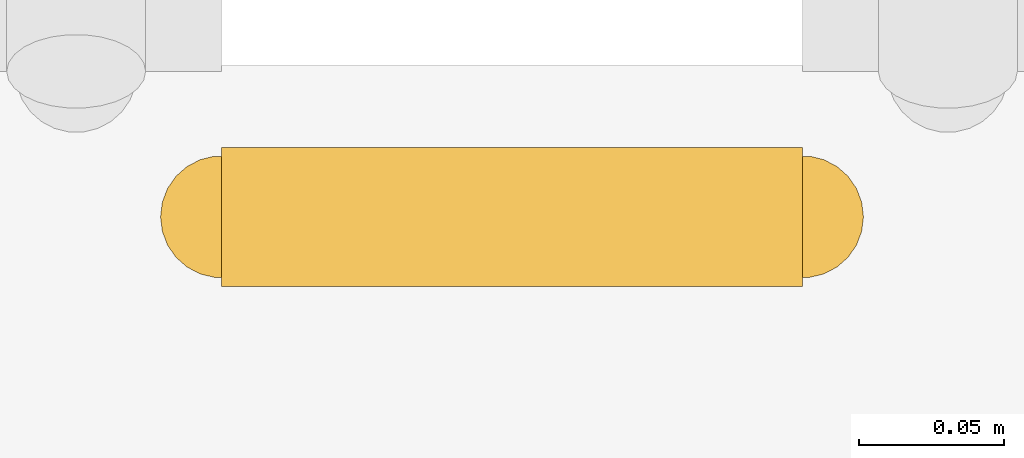
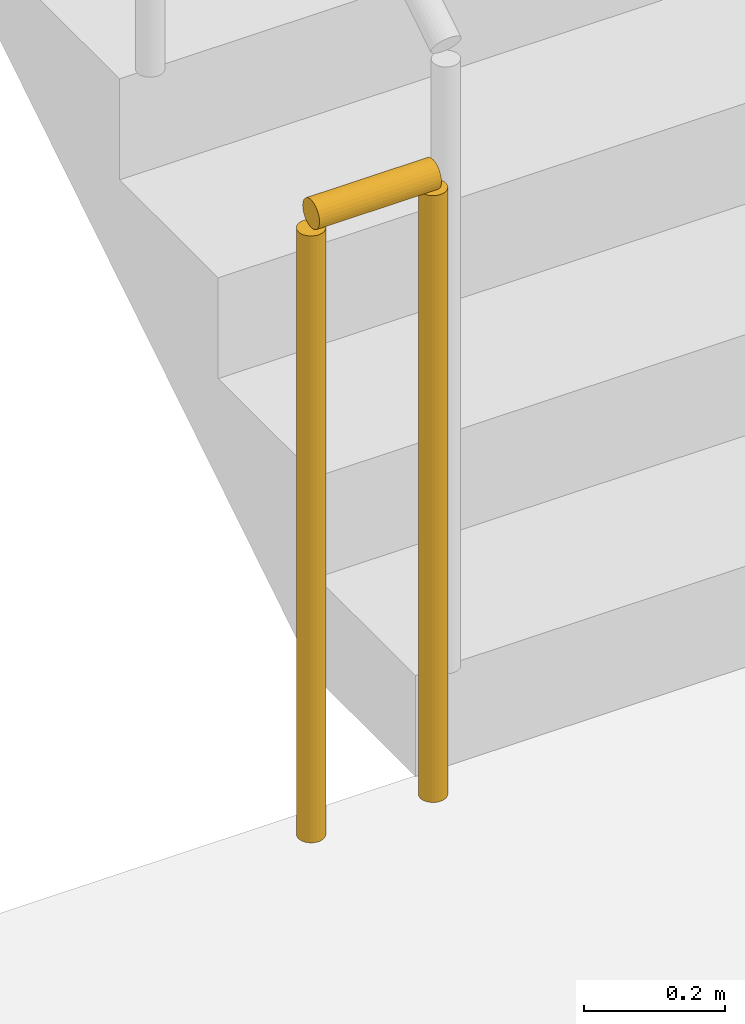
# One storey, part 10 of 21: 1 railing.
"""IFC4 building model written with IfcOpenShell, lengths in metres."""

from ifc_helpers import new_model, si_unit, direction, frame, origin, origin_2d, place, context, subcontext, project, spatial, circle, extrude, material, type_object, element, save


model = new_model("IFC4")

# Units and contexts
model_context = context("Model", 3, precision=1e-05, world=origin(), true_north=direction((0.0, 1.0)))
body_context = subcontext(model_context, "Body", "Model", "MODEL_VIEW")
ifc_project = project(units=[si_unit("LENGTHUNIT", "METRE"), si_unit("AREAUNIT", "SQUARE_METRE"), si_unit("VOLUMEUNIT", "CUBIC_METRE"), si_unit("PLANEANGLEUNIT", "RADIAN"), si_unit("MASSUNIT", "GRAM", prefix="KILO")], contexts=[model_context])

# Site, building, storey
site_placement = place(None, origin())
site = spatial("IfcSite", under=ifc_project, at=site_placement, CompositionType="ELEMENT")
building_placement = place(site_placement, origin())
building = spatial("IfcBuilding", under=site, at=building_placement, Name="Kiln Ring Residences", CompositionType="ELEMENT")
storey_placement = place(building_placement, frame((0.0, 0.0, 220.39990234375)))
storey = spatial("IfcBuildingStorey", under=building, at=storey_placement, Name="L57", CompositionType="ELEMENT", Elevation=220.39990234375)

# Railing
ifc_material = material(Name="Stainless steel", Category="steel")
railing_type = type_object("IfcRailingType", Name="CORE-STAIR-GUARD", PredefinedType="GUARDRAIL", material=ifc_material)
railing_placement = place(storey_placement, frame((-22.0, -8.449951171875, 0.0)))
element("IfcRailing", 1, at=railing_placement, inside=storey, type_object=railing_type, Name="L57 W-STS stair guard 4", PredefinedType="GUARDRAIL", context=body_context, shape_type="SweptSolid", body=[
    extrude(circle(Radius=0.02392578125, at=origin_2d()), frame((0.0, 0.0, 1.076171875), z_axis=(-1.0, 0.0, 0.0), x_axis=(0.0, -1.0, 0.0)), (0.0, 0.0, 1.0), 0.199951171875),
    extrude(circle(Radius=0.02099609375, at=origin_2d()), origin(), (0.0, 0.0, 1.0), 1.052001953125),
    extrude(circle(Radius=0.02099609375, at=origin_2d()), frame((-0.199951171875, 0.0, 0.0)), (0.0, 0.0, 1.0), 1.052001953125),
])

save(model, "model.ifc")
